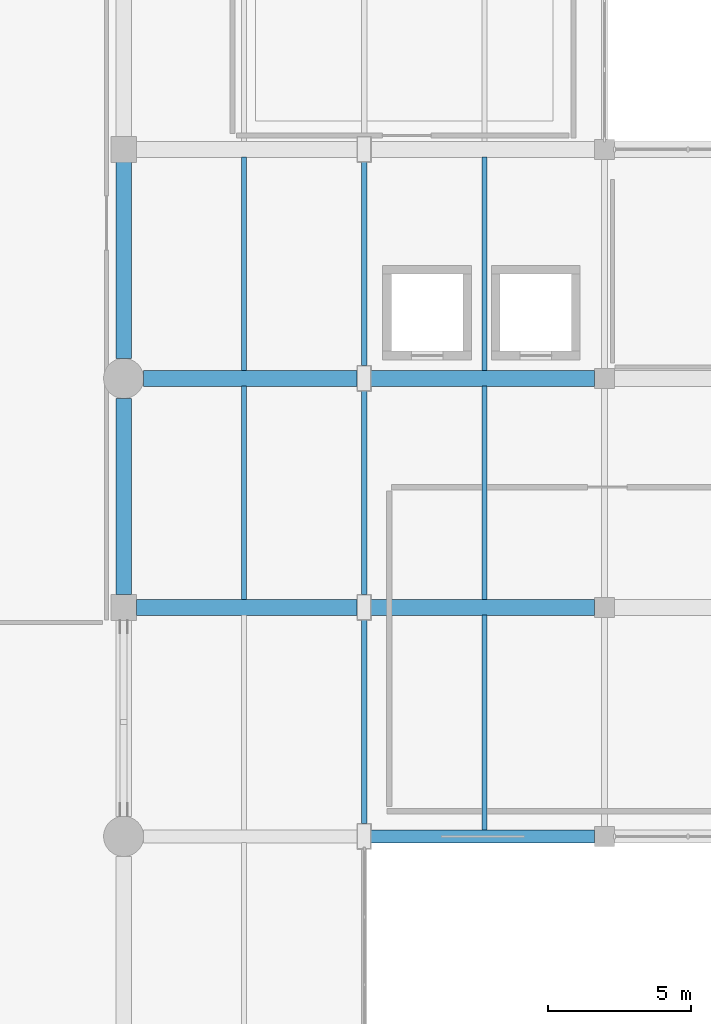
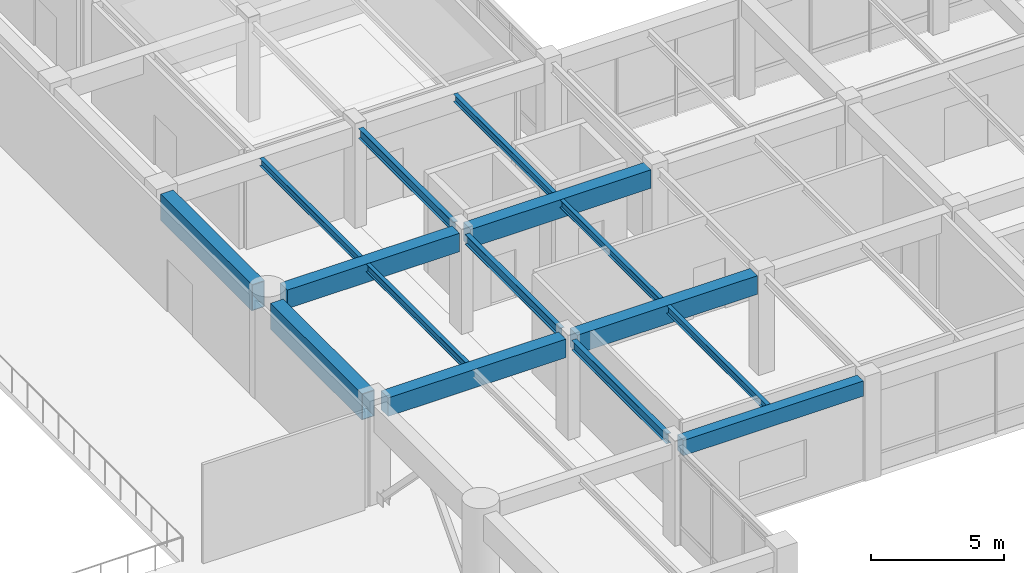
# One storey, part 13 of 76: 15 beams.
"""IFC4 building model written with IfcOpenShell, lengths in metres."""

import ifcopenshell
import ifcopenshell.guid

model = None  # the IFC model being written
_history = None  # IfcOwnerHistory: only IFC2X3 demands one
_inside = {}  # id of a spatial element -> (the spatial element, [elements in it])
_under = {}  # id of a project, library or spatial element -> (it, [spatial elements below it])
_declared = {}  # id of a project -> (the project, [libraries it declares])
_typed = {}  # id of a type object -> (the type object, [elements of that type])
_made_of = {}  # id of a material, layer set ... -> (it, [elements and type objects made of it])


def new_model(schema):
    """Start an empty IFC model of exactly this schema.

    Asked for "IFC4X3", IfcOpenShell would pick the latest addendum, in which some entities
    have other attributes; the version numbers below select the first issue.
    IFC2X3 requires an IfcOwnerHistory on every rooted entity: one is made here for all.
    """
    global model, _history
    if schema == "IFC4X3":
        model = ifcopenshell.file(schema_version=(4, 3, 0, 0))
    else:
        model = ifcopenshell.file(schema=schema)
    _inside.clear()
    _under.clear()
    _declared.clear()
    _typed.clear()
    _made_of.clear()
    _history = None
    if model.schema == "IFC2X3":
        org = make("IfcOrganization", Name="unknown")
        user = make(
            "IfcPersonAndOrganization",
            ThePerson=make("IfcPerson", FamilyName="unknown"),
            TheOrganization=org,
        )
        app = make(
            "IfcApplication",
            ApplicationDeveloper=org,
            Version="unknown",
            ApplicationFullName="unknown",
            ApplicationIdentifier="unknown",
        )
        _history = make(
            "IfcOwnerHistory",
            OwningUser=user,
            OwningApplication=app,
            ChangeAction="ADDED",
            CreationDate=0,
        )
    return model


def make(cls, **values):
    """One entity of the class cls with the attributes given. An attribute that is None is left unset."""
    return model.create_entity(
        cls, **{name: value for name, value in values.items() if value is not None}
    )


def rooted(cls, **values):
    """An entity with a GlobalId (a new one), such as an element, a storey or a relation."""
    return make(cls, GlobalId=ifcopenshell.guid.new(), OwnerHistory=_history, **values)


def si_unit(unit_type, name, prefix=None):
    """IfcSIUnit, for example si_unit("LENGTHUNIT", "METRE", prefix="MILLI")."""
    return make("IfcSIUnit", UnitType=unit_type, Prefix=prefix, Name=name)


def assignment(units):
    """IfcUnitAssignment: the units of a project."""
    return None if units is None else make("IfcUnitAssignment", Units=units)


def point(xyz):
    """IfcCartesianPoint."""
    return None if xyz is None else make("IfcCartesianPoint", Coordinates=xyz)


def direction(xyz):
    """IfcDirection."""
    return None if xyz is None else make("IfcDirection", DirectionRatios=xyz)


def frame(location, z_axis=None, x_axis=None):
    """IfcAxis2Placement3D, a coordinate frame: its origin and axes. An axis left out is left unset."""
    return make(
        "IfcAxis2Placement3D",
        Location=point(location),
        Axis=direction(z_axis),
        RefDirection=direction(x_axis),
    )


def frame_2d(location, x_axis=None):
    """IfcAxis2Placement2D, a coordinate frame in the plane: its origin and x axis."""
    return make(
        "IfcAxis2Placement2D", Location=point(location), RefDirection=direction(x_axis)
    )


def origin():
    """The frame at (0, 0, 0) with its axes left unset."""
    return frame((0.0, 0.0, 0.0))


def origin_2d():
    """The frame at (0, 0) in the plane with its x axis left unset."""
    return frame_2d((0.0, 0.0))


def place(relative_to, where):
    """IfcLocalPlacement: puts the frame where relative to a parent placement (None: the world)."""
    return make(
        "IfcLocalPlacement", PlacementRelTo=relative_to, RelativePlacement=where
    )


def context(
    kind, dimensions, precision=None, world=None, true_north=None, identifier=None
):
    """IfcGeometricRepresentationContext, for example the 3D "Model" context."""
    return make(
        "IfcGeometricRepresentationContext",
        ContextIdentifier=identifier,
        ContextType=kind,
        CoordinateSpaceDimension=dimensions,
        Precision=precision,
        WorldCoordinateSystem=world,
        TrueNorth=true_north,
    )


def subcontext(parent, identifier, kind, view, scale=None):
    """IfcGeometricRepresentationSubContext, for example "Body" below "Model"."""
    return make(
        "IfcGeometricRepresentationSubContext",
        ContextIdentifier=identifier,
        ContextType=kind,
        ParentContext=parent,
        TargetScale=scale,
        TargetView=view,
    )


def project(units=None, contexts=None):
    """IfcProject with its units and contexts."""
    return rooted(
        "IfcProject",
        Name="project",
        RepresentationContexts=contexts,
        UnitsInContext=assignment(units),
    )


def spatial(cls, under=None, at=None, **own):
    """A site, building, storey or space (cls), placed at a placement, below another one or the project."""
    s = rooted(cls, ObjectPlacement=at, **own)
    if under is not None:
        _under.setdefault(under.id(), (under, []))[1].append(s)
    return s


def profile(cls, at=None, kind="AREA", **sizes):
    """A parametric profile (cls). Its sizes go by their IFC names, for example OverallWidth=200.0."""
    return make(cls, ProfileType=kind, Position=at, **sizes)


def rectangle(**sizes):
    """IfcRectangleProfileDef."""
    return profile("IfcRectangleProfileDef", **sizes)


def hollow_rectangle(**sizes):
    """IfcRectangleHollowProfileDef."""
    return profile("IfcRectangleHollowProfileDef", **sizes)


def i_section(**sizes):
    """IfcIShapeProfileDef."""
    return profile("IfcIShapeProfileDef", **sizes)


def extrude(swept, where, along, depth):
    """IfcExtrudedAreaSolid: the profile swept, set in the frame where, extruded along a direction by depth."""
    return make(
        "IfcExtrudedAreaSolid",
        SweptArea=swept,
        Position=where,
        ExtrudedDirection=direction(along),
        Depth=depth,
    )


def shape(context_of_items, identifier, shape_type, items):
    """IfcShapeRepresentation: the items that make up one representation, for example the "Body"."""
    return make(
        "IfcShapeRepresentation",
        ContextOfItems=context_of_items,
        RepresentationIdentifier=identifier,
        RepresentationType=shape_type,
        Items=items,
    )


def material(Name=None, Category=None):
    """IfcMaterial."""
    return make("IfcMaterial", Name=Name, Category=Category)


def material_profile(
    of_material, cross_section, Name=None, Category=None, Priority=None
):
    """IfcMaterialProfile: a cross section and its material."""
    return make(
        "IfcMaterialProfile",
        Name=Name,
        Material=of_material,
        Profile=cross_section,
        Priority=Priority,
        Category=Category,
    )


def profile_set(profiles, Name=None, composite=None):
    """IfcMaterialProfileSet."""
    return make(
        "IfcMaterialProfileSet",
        Name=Name,
        MaterialProfiles=profiles,
        CompositeProfile=composite,
    )


def made_of(thing, what):
    """Note that an element or type object is made of a material, layer set ...; save() writes the relation."""
    if what is not None:
        _made_of.setdefault(what.id(), (what, []))[1].append(thing)
    return thing


def type_object(cls, material=None, **own):
    """A type object (cls), such as IfcWallType, which elements share."""
    return made_of(rooted(cls, **own), material)


def element(
    cls,
    number,
    at=None,
    inside=None,
    cuts=None,
    type_object=None,
    material=None,
    context=None,
    identifier="Body",
    shape_type=None,
    held_by="IfcProductDefinitionShape",
    body=None,
    shapes=None,
    **own,
):
    """One element of the class cls, such as IfcWall. Its Tag is "e" and its number.

    at: its placement. inside: the storey or other place that contains it. cuts: it is an
    opening in that element (IfcRelVoidsElement). A single representation is given by context,
    identifier, shape_type and body (its items); several are given by shapes. held_by: the class
    of the entity that holds the representations. save() writes the other relations.
    """
    e = rooted(cls, Tag="e%d" % number, ObjectPlacement=at, **own)
    if body is not None:
        shapes = [shape(context, identifier, shape_type, body)]
    if shapes is not None:
        e.Representation = make(held_by, Representations=shapes)
    if inside is not None:
        _inside.setdefault(inside.id(), (inside, []))[1].append(e)
    if cuts is not None:
        rooted(
            "IfcRelVoidsElement", RelatingBuildingElement=cuts, RelatedOpeningElement=e
        )
    if type_object is not None:
        _typed.setdefault(type_object.id(), (type_object, []))[1].append(e)
    return made_of(e, material)


def aggregate(whole, parts):
    """IfcRelAggregates: a whole, such as a stair, and the parts it consists of."""
    return rooted("IfcRelAggregates", RelatingObject=whole, RelatedObjects=parts)


def save(model, path):
    """Write the relations noted so far, then the file.

    IfcRelAggregates (storeys below a building ...), IfcRelContainedInSpatialStructure (elements
    in a storey), IfcRelDefinesByType, IfcRelAssociatesMaterial and IfcRelDeclares: one each for
    every whole, place, type object, material and project.
    """
    for whole, parts in _under.values():
        aggregate(whole, parts)
    for where, things in _inside.values():
        rooted(
            "IfcRelContainedInSpatialStructure",
            RelatedElements=things,
            RelatingStructure=where,
        )
    for kind, things in _typed.values():
        rooted("IfcRelDefinesByType", RelatedObjects=things, RelatingType=kind)
    for what, things in _made_of.values():
        rooted("IfcRelAssociatesMaterial", RelatedObjects=things, RelatingMaterial=what)
    for by, libraries in _declared.values():
        rooted("IfcRelDeclares", RelatingContext=by, RelatedDefinitions=libraries)
    model.write(path)


model = new_model("IFC4")

# Units and contexts
model_context = context("Model", 3, precision=1e-05, world=origin(), true_north=direction((0.0, 1.0)))
body_context = subcontext(model_context, "Body", "Model", "MODEL_VIEW")
ifc_project = project(units=[si_unit("LENGTHUNIT", "METRE"), si_unit("AREAUNIT", "SQUARE_METRE"), si_unit("VOLUMEUNIT", "CUBIC_METRE"), si_unit("PLANEANGLEUNIT", "RADIAN"), si_unit("MASSUNIT", "GRAM", prefix="KILO")], contexts=[model_context])

# Site, building, storey
site_placement = place(None, origin())
site = spatial("IfcSite", under=ifc_project, at=site_placement, CompositionType="ELEMENT")
building_placement = place(site_placement, origin())
building = spatial("IfcBuilding", under=site, at=building_placement, Name="Naruveol Harbour Congress Hotel", CompositionType="ELEMENT")
storey_placement = place(building_placement, frame((0.0, 0.0, 11.39990234375)))
storey = spatial("IfcBuildingStorey", under=building, at=storey_placement, Name="L02", CompositionType="ELEMENT", Elevation=11.39990234375)

# Beams
ifc_material_1 = material(Name="Concrete C40/50", Category="concrete")
ifc_material_profile_1 = material_profile(ifc_material_1, rectangle(XDim=0.550048828125, YDim=0.85009765625, at=origin_2d()), Name="RCB-550x850")
ifc_profile_set_1 = profile_set([ifc_material_profile_1], Name="Concrete C40/50")
beam_type_1 = type_object("IfcBeamType", Name="RC PRIMARY GIRDER 550X850", PredefinedType="BEAM", material=ifc_profile_set_1)
beam_1_placement = place(storey_placement, frame((50.845947265625, 16.0, 4.114990234375), z_axis=(1.0, 0.0, 0.0), x_axis=(0.0, 1.0, 0.0)))
element("IfcBeam", 1, at=beam_1_placement, inside=storey, type_object=beam_type_1, Name="Floor girder L03 CB2", PredefinedType="BEAM", context=body_context, shape_type="SweptSolid", body=[
    extrude(rectangle(XDim=0.550048828125, YDim=0.85009765625, at=origin_2d()), origin(), (0.0, 0.0, 1.0), 7.7080078125),
])
beam_2_placement = place(storey_placement, frame((59.0458984375, 16.0, 4.114990234375), z_axis=(1.0, 0.0, 0.0), x_axis=(0.0, 1.0, 0.0)))
element("IfcBeam", 2, at=beam_2_placement, inside=storey, type_object=beam_type_1, Name="Floor girder L03 CB2", PredefinedType="BEAM", context=body_context, shape_type="SweptSolid", body=[
    extrude(rectangle(XDim=0.550048828125, YDim=0.85009765625, at=origin_2d()), origin(), (0.0, 0.0, 1.0), 7.80810546875),
])
beam_3_placement = place(storey_placement, frame((51.095947265625, 24.0, 4.114990234375), z_axis=(1.0, 0.0, 0.0), x_axis=(0.0, 1.0, 0.0)))
element("IfcBeam", 3, at=beam_3_placement, inside=storey, type_object=beam_type_1, Name="Floor girder L03 CB2", PredefinedType="BEAM", context=body_context, shape_type="SweptSolid", body=[
    extrude(rectangle(XDim=0.550048828125, YDim=0.85009765625, at=origin_2d()), origin(), (0.0, 0.0, 1.0), 7.4580078125),
])
beam_4_placement = place(storey_placement, frame((59.0458984375, 24.0, 4.114990234375), z_axis=(1.0, 0.0, 0.0), x_axis=(0.0, 1.0, 0.0)))
element("IfcBeam", 4, at=beam_4_placement, inside=storey, type_object=beam_type_1, Name="Floor girder L03 CB2", PredefinedType="BEAM", context=body_context, shape_type="SweptSolid", body=[
    extrude(rectangle(XDim=0.550048828125, YDim=0.85009765625, at=origin_2d()), origin(), (0.0, 0.0, 1.0), 7.80810546875),
])
ifc_material_2 = material(Name="Concrete C40/50", Category="concrete")
ifc_material_profile_2 = material_profile(ifc_material_2, rectangle(XDim=0.449951171875, YDim=0.699951171875, at=origin_2d()), Name="RCB-450x700")
ifc_profile_set_2 = profile_set([ifc_material_profile_2], Name="Concrete C40/50")
beam_type_2 = type_object("IfcBeamType", Name="RC SPANDREL BEAM 450X700", PredefinedType="SPANDREL", material=ifc_profile_set_2)
beam_5_placement = place(storey_placement, frame((59.0458984375, 8.0, 4.190185546875), z_axis=(1.0, 0.0, 0.0), x_axis=(0.0, 1.0, 0.0)))
element("IfcBeam", 5, at=beam_5_placement, inside=storey, type_object=beam_type_2, Name="Floor girder L03 SPB1", PredefinedType="SPANDREL", context=body_context, shape_type="SweptSolid", body=[
    extrude(rectangle(XDim=0.449951171875, YDim=0.699951171875, at=origin_2d()), origin(), (0.0, 0.0, 1.0), 7.80810546875),
])
ifc_material_3 = material(Name="Steel SN490", Category="steel")
ifc_material_profile_3 = material_profile(ifc_material_3, hollow_rectangle(XDim=0.550048828125, YDim=1.199951171875, WallThickness=0.028076171875, at=origin_2d()), Name="RHS-1200x550x28")
ifc_profile_set_3 = profile_set([ifc_material_profile_3], Name="Steel SN490")
beam_type_3 = type_object("IfcBeamType", Name="STEEL RING BOX GIRDER 1200X550", PredefinedType="BEAM", material=ifc_profile_set_3)
for number, where, z_axis, x_axis, name in (
    (6, (50.39990234375, 16.446044921875, 3.940185546875), (0.0, 1.0, 0.0), (-1.0, 0.0, 0.0), "Congress ring girder RG1"),
    (7, (50.39990234375, 24.696044921875, 3.940185546875), (0.0, 1.0, 0.0), (-1.0, 0.0, 0.0), "Congress ring girder RG1"),
):
    element("IfcBeam", number, at=place(storey_placement, frame(where, z_axis=z_axis, x_axis=x_axis)), inside=storey, type_object=beam_type_3, Name=name, PredefinedType="BEAM", context=body_context, shape_type="SweptSolid", body=[
        extrude(hollow_rectangle(XDim=0.550048828125, YDim=1.199951171875, WallThickness=0.028076171875, at=origin_2d()), origin(), (0.0, 0.0, 1.0), 6.85791015625),
    ])
ifc_material_4 = material(Name="Steel SN490", Category="steel")
ifc_material_profile_4 = material_profile(ifc_material_4, i_section(OverallWidth=0.175048828125, OverallDepth=0.35009765625, WebThickness=0.007080078125, FlangeThickness=0.010986328125, at=origin_2d()), Name="H-350x175x7x11")
ifc_profile_set_4 = profile_set([ifc_material_profile_4], Name="Steel SN490")
beam_type_4 = type_object("IfcBeamType", Name="STEEL SECONDARY JOIST H350", PredefinedType="JOIST", material=ifc_profile_set_4)
beam_6_placement = place(storey_placement, frame((63.0, 8.220947265625, 4.364990234375), z_axis=(0.0, 1.0, 0.0), x_axis=(-1.0, 0.0, 0.0)))
element("IfcBeam", 8, at=beam_6_placement, inside=storey, type_object=beam_type_4, Name="Secondary floor joist L03 SJ2", PredefinedType="JOIST", context=body_context, shape_type="SweptSolid", body=[
    extrude(i_section(OverallWidth=0.175048828125, OverallDepth=0.35009765625, WebThickness=0.007080078125, FlangeThickness=0.010986328125, at=origin_2d()), origin(), (0.0, 0.0, 1.0), 7.508056640625),
])
for number, where, z_axis, x_axis, name in (
    (9, (54.60009765625, 16.27099609375, 4.364990234375), (0.0, 1.0, 0.0), (-1.0, 0.0, 0.0), "Secondary floor joist L03 SJ2"),
    (10, (63.0, 16.27099609375, 4.364990234375), (0.0, 1.0, 0.0), (-1.0, 0.0, 0.0), "Secondary floor joist L03 SJ2"),
    (11, (54.60009765625, 24.27099609375, 4.364990234375), (0.0, 1.0, 0.0), (-1.0, 0.0, 0.0), "Secondary floor joist L03 SJ2"),
    (12, (63.0, 24.27099609375, 4.364990234375), (0.0, 1.0, 0.0), (-1.0, 0.0, 0.0), "Secondary floor joist L03 SJ2"),
):
    element("IfcBeam", number, at=place(storey_placement, frame(where, z_axis=z_axis, x_axis=x_axis)), inside=storey, type_object=beam_type_4, Name=name, PredefinedType="JOIST", context=body_context, shape_type="SweptSolid", body=[
        extrude(i_section(OverallWidth=0.175048828125, OverallDepth=0.35009765625, WebThickness=0.007080078125, FlangeThickness=0.010986328125, at=origin_2d()), origin(), (0.0, 0.0, 1.0), 7.4580078125),
    ])
ifc_material_5 = material(Name="Steel SN490", Category="steel")
ifc_material_profile_5 = material_profile(ifc_material_5, i_section(OverallWidth=0.199951171875, OverallDepth=0.449951171875, WebThickness=0.009033203125, FlangeThickness=0.013916015625, at=origin_2d()), Name="H-450x200x9x14")
ifc_profile_set_5 = profile_set([ifc_material_profile_5], Name="Steel SN490")
beam_type_5 = type_object("IfcBeamType", Name="STEEL SPANDREL EDGE BEAM H450", PredefinedType="SPANDREL", material=ifc_profile_set_5)
for number, where, z_axis, x_axis, name in (
    (13, (58.800048828125, 8.446044921875, 4.315185546875), (0.0, 1.0, 0.0), (-1.0, 0.0, 0.0), "Transverse girder L03 SPB2"),
    (14, (58.800048828125, 16.446044921875, 4.315185546875), (0.0, 1.0, 0.0), (-1.0, 0.0, 0.0), "Transverse girder L03 SPB2"),
    (15, (58.800048828125, 24.446044921875, 4.315185546875), (0.0, 1.0, 0.0), (-1.0, 0.0, 0.0), "Transverse girder L03 SPB2"),
):
    element("IfcBeam", number, at=place(storey_placement, frame(where, z_axis=z_axis, x_axis=x_axis)), inside=storey, type_object=beam_type_5, Name=name, PredefinedType="SPANDREL", context=body_context, shape_type="SweptSolid", body=[
        extrude(i_section(OverallWidth=0.199951171875, OverallDepth=0.449951171875, WebThickness=0.009033203125, FlangeThickness=0.013916015625, at=origin_2d()), origin(), (0.0, 0.0, 1.0), 7.10791015625),
    ])

save(model, "model.ifc")
